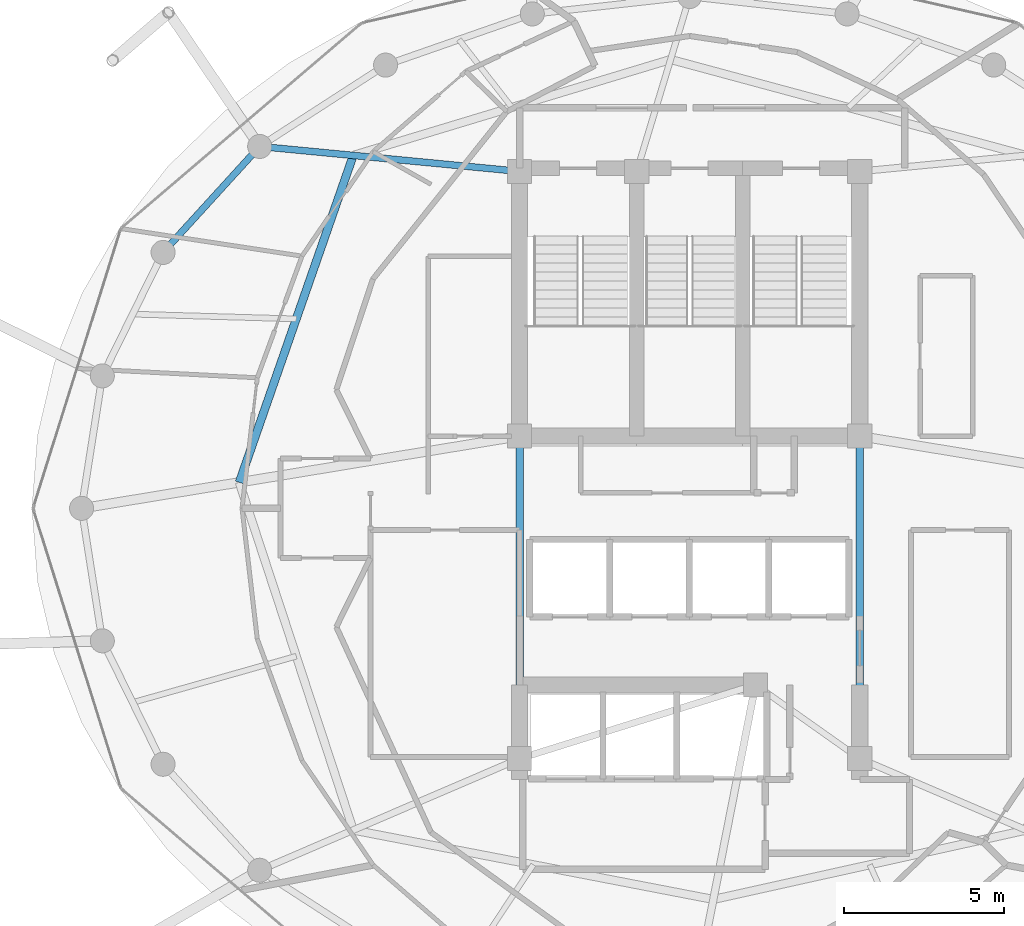
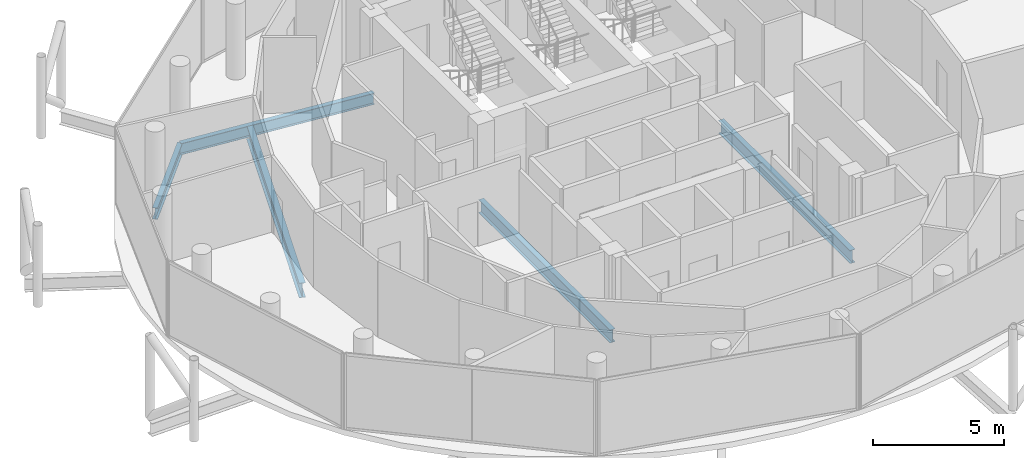
# One storey, part 8 of 24: 5 beams.
"""IFC4 building model written with IfcOpenShell, lengths in metres."""

from ifc_helpers import new_model, si_unit, direction, frame, origin, origin_2d, place, context, subcontext, project, spatial, i_section, extrude, material, material_profile, profile_set, type_object, element, save


model = new_model("IFC4")

# Units and contexts
model_context = context("Model", 3, precision=1e-05, world=origin(), true_north=direction((0.0, 1.0)))
body_context = subcontext(model_context, "Body", "Model", "MODEL_VIEW")
ifc_project = project(units=[si_unit("LENGTHUNIT", "METRE"), si_unit("AREAUNIT", "SQUARE_METRE"), si_unit("VOLUMEUNIT", "CUBIC_METRE"), si_unit("PLANEANGLEUNIT", "RADIAN"), si_unit("MASSUNIT", "GRAM", prefix="KILO")], contexts=[model_context])

# Site, building, storey
site_placement = place(None, origin())
site = spatial("IfcSite", under=ifc_project, at=site_placement, CompositionType="ELEMENT")
building_placement = place(site_placement, origin())
building = spatial("IfcBuilding", under=site, at=building_placement, Name="Nuhasar Tower", CompositionType="ELEMENT")
storey_placement = place(building_placement, frame((0.0, 0.0, 286.0)))
storey = spatial("IfcBuildingStorey", under=building, at=storey_placement, Name="L71", CompositionType="ELEMENT", Elevation=286.0)

# Beams
ifc_material = material(Name="Steel S355", Category="steel")
ifc_material_profile_1 = material_profile(ifc_material, i_section(OverallWidth=0.25390625, OverallDepth=0.68408203125, WebThickness=0.012451171875, FlangeThickness=0.018798828125, at=origin_2d()), Name="W27X94")
ifc_profile_set_1 = profile_set([ifc_material_profile_1], Name="Steel S355")
beam_type_1 = type_object("IfcBeamType", Name="BM-INRING-W27X94", PredefinedType="BEAM", material=ifc_profile_set_1)
beam_1_placement = place(storey_placement, frame((28.51611328125, 37.798095703125, -0.60205078125), z_axis=(-0.329211236979, -0.944256300718, 0.0), x_axis=(0.944256300718, -0.329211236979, 0.0)))
element("IfcBeam", 1, at=beam_1_placement, inside=storey, type_object=beam_type_1, Name="L71 Inner Header Beam 07", PredefinedType="BEAM", context=body_context, shape_type="SweptSolid", body=[
    extrude(i_section(OverallWidth=0.25390625, OverallDepth=0.68408203125, WebThickness=0.012451171875, FlangeThickness=0.018798828125, at=origin_2d()), origin(), (0.0, 0.0, 1.0), 10.78955078125),
])
ifc_material_profile_2 = material_profile(ifc_material, i_section(OverallWidth=0.208984375, OverallDepth=0.528076171875, WebThickness=0.009521484375, FlangeThickness=0.01318359375, at=origin_2d()), Name="W21X55")
ifc_profile_set_2 = profile_set([ifc_material_profile_2], Name="Steel S355")
beam_type_2 = type_object("IfcBeamType", Name="BM-RAD-W21X55", PredefinedType="BEAM", material=ifc_profile_set_2)
beam_2_placement = place(storey_placement, frame((33.699951171875, 37.300048828125, -0.52392578125), z_axis=(-0.99542073054, 0.095590633496, 0.0), x_axis=(-0.095590633496, -0.99542073054, 0.0)))
element("IfcBeam", 2, at=beam_2_placement, inside=storey, type_object=beam_type_2, Name="L71 Radial Floor Girder 07", PredefinedType="BEAM", context=body_context, shape_type="SweptSolid", body=[
    extrude(i_section(OverallWidth=0.208984375, OverallDepth=0.528076171875, WebThickness=0.009521484375, FlangeThickness=0.01318359375, at=origin_2d()), origin(), (0.0, 0.0, 1.0), 8.13720703125),
])
ifc_material_profile_3 = material_profile(ifc_material, i_section(OverallWidth=0.22900390625, OverallDepth=0.612060546875, WebThickness=0.011962890625, FlangeThickness=0.01953125, at=origin_2d()), Name="W24X84")
ifc_profile_set_3 = profile_set([ifc_material_profile_3], Name="Steel S355")
beam_type_3 = type_object("IfcBeamType", Name="BM-RAD-W24X84", PredefinedType="BEAM", material=ifc_profile_set_3)
for number, where, z_axis, x_axis, name in (
    (3, (44.300048828125, 19.0, -0.56591796875), (0.0, 1.0, 0.0), (-1.0, 0.0, 0.0), "L71 Core Ring Girder 3"),
    (4, (33.699951171875, 29.050048828125, -0.56591796875), (0.0, -1.0, 0.0), (1.0, 0.0, 0.0), "L71 Core Ring Girder 8"),
):
    element("IfcBeam", number, at=place(storey_placement, frame(where, z_axis=z_axis, x_axis=x_axis)), inside=storey, type_object=beam_type_3, Name=name, PredefinedType="BEAM", context=body_context, shape_type="SweptSolid", body=[
        extrude(i_section(OverallWidth=0.22900390625, OverallDepth=0.612060546875, WebThickness=0.011962890625, FlangeThickness=0.01953125, at=origin_2d()), origin(), (0.0, 0.0, 1.0), 10.050048828125),
    ])
ifc_material_profile_4 = material_profile(ifc_material, i_section(OverallWidth=0.2099609375, OverallDepth=0.537109375, WebThickness=0.010986328125, FlangeThickness=0.017333984375, at=origin_2d()), Name="W21X68")
ifc_profile_set_4 = profile_set([ifc_material_profile_4], Name="Steel S355")
beam_type_4 = type_object("IfcBeamType", Name="BM-RING-W21X68", PredefinedType="SPANDREL", material=ifc_profile_set_4)
beam_3_placement = place(storey_placement, frame((25.60009765625, 38.077880859375, -0.529052734375), z_axis=(-0.673686302939, -0.739017432293, 0.0), x_axis=(0.739017432293, -0.673686302939, 0.0)))
element("IfcBeam", 5, at=beam_3_placement, inside=storey, type_object=beam_type_4, Name="L71 Perimeter Ring Spandrel 10", PredefinedType="SPANDREL", context=body_context, shape_type="SweptSolid", body=[
    extrude(i_section(OverallWidth=0.2099609375, OverallDepth=0.537109375, WebThickness=0.010986328125, FlangeThickness=0.017333984375, at=origin_2d()), origin(), (0.0, 0.0, 1.0), 4.469482421875),
])

save(model, "model.ifc")
